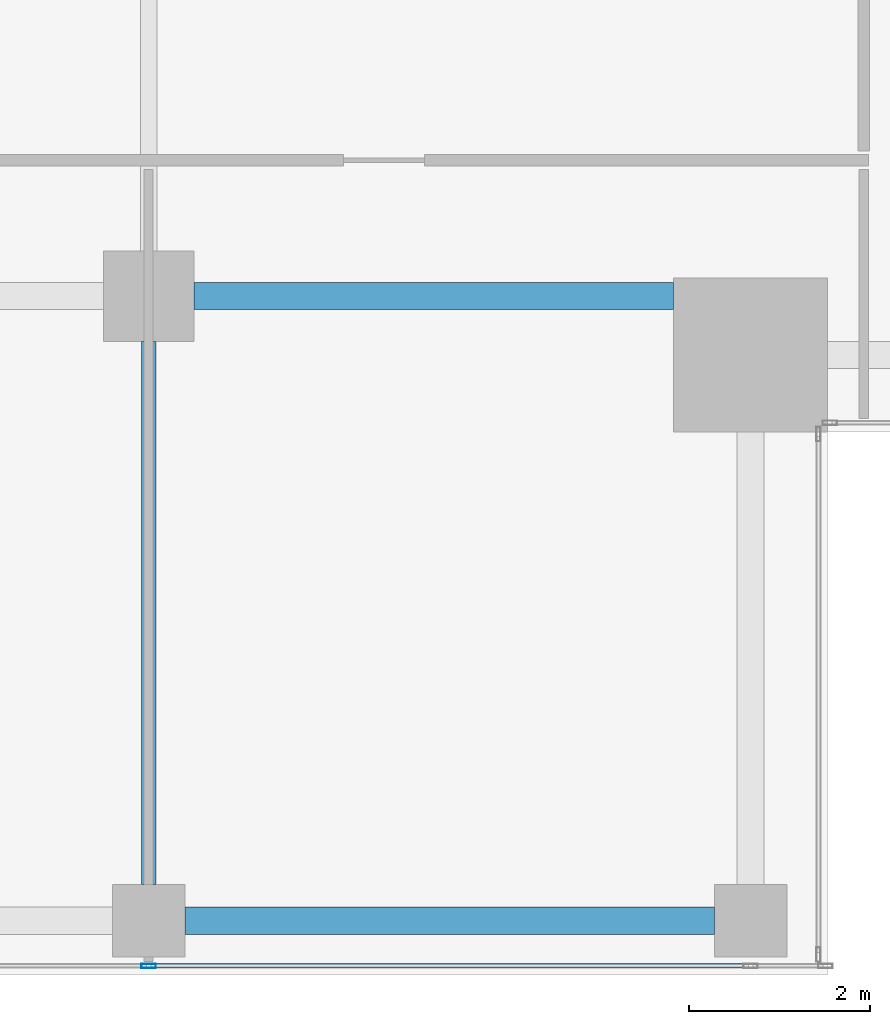
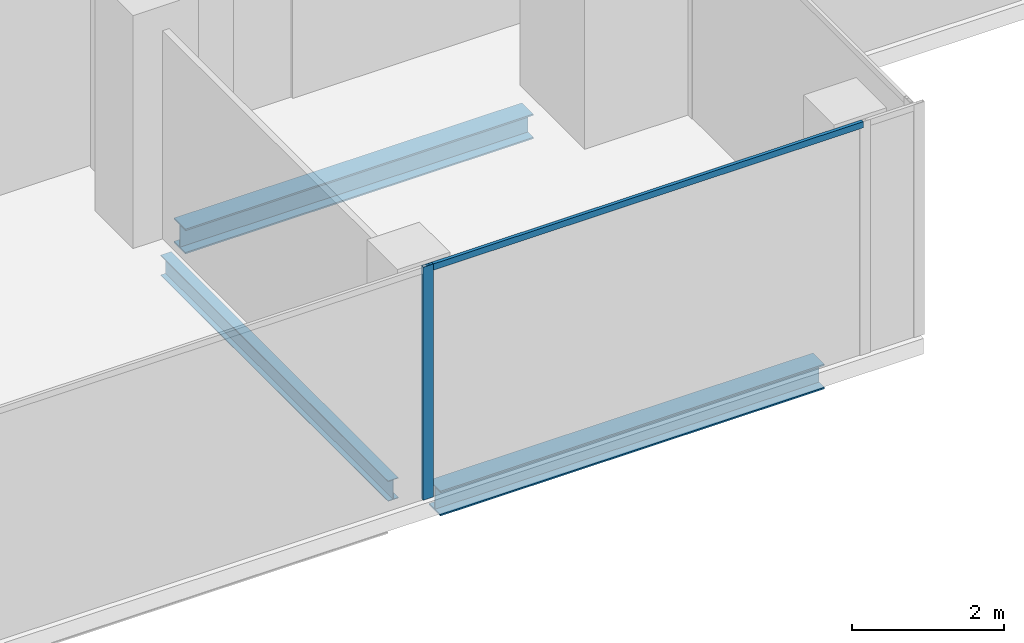
# One storey, part 7 of 29: 3 beams, 2 members, 1 element without a shape of its own.
"""IFC4 building model written with IfcOpenShell, lengths in metres."""

from ifc_helpers import new_model, si_unit, direction, frame, origin, origin_2d, place, context, subcontext, project, spatial, hollow_rectangle, i_section, extrude, source, transform, mapped, material, material_profile, profile_set, type_object, element, aggregate, save


model = new_model("IFC4")

# Units and contexts
model_context = context("Model", 3, precision=1e-05, world=origin(), true_north=direction((0.0, 1.0)))
body_context = subcontext(model_context, "Body", "Model", "MODEL_VIEW")
ifc_project = project(units=[si_unit("LENGTHUNIT", "METRE"), si_unit("AREAUNIT", "SQUARE_METRE"), si_unit("VOLUMEUNIT", "CUBIC_METRE"), si_unit("PLANEANGLEUNIT", "RADIAN"), si_unit("MASSUNIT", "GRAM", prefix="KILO")], contexts=[model_context])

# Site, building, storey
site_placement = place(None, origin())
site = spatial("IfcSite", under=ifc_project, at=site_placement, CompositionType="ELEMENT")
building_placement = place(site_placement, origin())
building = spatial("IfcBuilding", under=site, at=building_placement, Name="Khomas Fold Tower", CompositionType="ELEMENT")
storey_placement = place(building_placement, frame((0.0, 0.0, 322.199951171875)))
storey = spatial("IfcBuildingStorey", under=building, at=storey_placement, Name="L73", CompositionType="ELEMENT", Elevation=322.199951171875)

# Beams
ifc_material_1 = material(Name="Steel S355", Category="steel")
ifc_material_profile_1 = material_profile(ifc_material_1, i_section(OverallWidth=0.300048828125, OverallDepth=0.39990234375, WebThickness=0.013427734375, FlangeThickness=0.02392578125, at=origin_2d()), Name="HE 400 B")
ifc_profile_set_1 = profile_set([ifc_material_profile_1], Name="Steel S355")
beam_type_1 = type_object("IfcBeamType", Name="HE 400 B spandrel SB5", PredefinedType="SPANDREL", material=ifc_profile_set_1)
shared_shape_1 = source(origin(), body_context, "Body", "SweptSolid", [
    extrude(i_section(OverallWidth=0.300048828125, OverallDepth=0.39990234375, WebThickness=0.013427734375, FlangeThickness=0.02392578125, at=origin_2d()), origin(), (0.0, 0.0, 1.0), 5.85009765625),
])
beam_1_placement = place(storey_placement, frame((34.89990234375, 6.60009765625, -0.449951171875), z_axis=(1.0, 0.0, 0.0), x_axis=(0.0, 1.0, 0.0)))
element("IfcBeam", 1, at=beam_1_placement, inside=storey, type_object=beam_type_1, Name="SB5", PredefinedType="SPANDREL", context=body_context, shape_type="MappedRepresentation", body=[
    mapped(shared_shape_1, transform((0.0, 0.0, 0.0))),
])
ifc_material_2 = material(Name="Steel S355", Category="steel")
ifc_material_profile_2 = material_profile(ifc_material_2, i_section(OverallWidth=0.300048828125, OverallDepth=0.39990234375, WebThickness=0.013427734375, FlangeThickness=0.02392578125, at=origin_2d()), Name="HE 400 B")
ifc_profile_set_2 = profile_set([ifc_material_profile_2], Name="Steel S355")
beam_type_2 = type_object("IfcBeamType", Name="HE 400 B beam GB1", PredefinedType="BEAM", material=ifc_profile_set_2)
shared_shape_2 = source(origin(), body_context, "Body", "SweptSolid", [
    extrude(i_section(OverallWidth=0.300048828125, OverallDepth=0.39990234375, WebThickness=0.013427734375, FlangeThickness=0.02392578125, at=origin_2d()), origin(), (0.0, 0.0, 1.0), 5.300048828125),
])
beam_2_placement = place(storey_placement, frame((35.0, 13.5, -0.449951171875), z_axis=(1.0, 0.0, 0.0), x_axis=(0.0, 1.0, 0.0)))
element("IfcBeam", 2, at=beam_2_placement, inside=storey, type_object=beam_type_2, Name="GB1", PredefinedType="BEAM", context=body_context, shape_type="MappedRepresentation", body=[
    mapped(shared_shape_2, transform((0.0, 0.0, 0.0))),
])
ifc_material_3 = material(Name="Steel S355", Category="steel")
ifc_material_profile_3 = material_profile(ifc_material_3, i_section(OverallWidth=0.159912109375, OverallDepth=0.330078125, WebThickness=0.007568359375, FlangeThickness=0.011474609375, at=origin_2d()), Name="IPE 330")
ifc_profile_set_3 = profile_set([ifc_material_profile_3], Name="Steel S355")
beam_type_3 = type_object("IfcBeamType", Name="IPE 330 beam JB1", PredefinedType="BEAM", material=ifc_profile_set_3)
shared_shape_3 = source(origin(), body_context, "Body", "SweptSolid", [
    extrude(i_section(OverallWidth=0.159912109375, OverallDepth=0.330078125, WebThickness=0.007568359375, FlangeThickness=0.011474609375, at=origin_2d()), origin(), (0.0, 0.0, 1.0), 6.0),
])
beam_3_placement = place(storey_placement, frame((34.5, 7.0, -0.4150390625), z_axis=(0.0, 1.0, 0.0), x_axis=(-1.0, 0.0, 0.0)))
element("IfcBeam", 3, at=beam_3_placement, inside=storey, type_object=beam_type_3, Name="JB1", PredefinedType="BEAM", context=body_context, shape_type="MappedRepresentation", body=[
    mapped(shared_shape_3, transform((0.0, 0.0, 0.0))),
])

# Curtain wall, members
ifc_material_4 = material(Name="Aluminium framed double glazing", Category="aluminium")
curtain_wall_type = type_object("IfcCurtainWallType", Name="SK-Unitised clear-glass wall, upper floors CW3", PredefinedType="NOTDEFINED", material=ifc_material_4)
curtain_wall_placement = place(storey_placement, origin())
curtain_wall = element("IfcCurtainWall", 4, at=curtain_wall_placement, inside=storey, type_object=curtain_wall_type, Name="CW3 run L73 00-0", PredefinedType="NOTDEFINED")
ifc_material_5 = material(Name="Aluminium", Category="aluminium")
ifc_material_profile_4 = material_profile(ifc_material_5, hollow_rectangle(XDim=0.050048828125, YDim=0.159912109375, WallThickness=0.00390625, at=origin_2d()), Name="SK-Unitised clear-glass wall, upper floors mullion CW3-M")
ifc_profile_set_4 = profile_set([ifc_material_profile_4], Name="Aluminium")
member_type_1 = type_object("IfcMemberType", Name="SK-Unitised clear-glass wall, upper floors mullion CW3-M", PredefinedType="MULLION", material=ifc_profile_set_4)
shared_shape_4 = source(origin(), body_context, "Body", "SweptSolid", [
    extrude(hollow_rectangle(XDim=0.050048828125, YDim=0.159912109375, WallThickness=0.00390625, at=origin_2d()), origin(), (0.0, 0.0, 1.0), 3.75),
])
member_1_placement = place(storey_placement, frame((34.5, 6.10009765625, 0.0), z_axis=(0.0, 0.0, 1.0), x_axis=(0.0, 1.0, 0.0)))
member_1 = element("IfcMember", 5, at=member_1_placement, type_object=member_type_1, Name="CW3 mullion 5", PredefinedType="MULLION", context=body_context, shape_type="MappedRepresentation", body=[
    mapped(shared_shape_4, transform((0.0, 0.0, 0.0))),
])
ifc_material_6 = material(Name="Aluminium", Category="aluminium")
ifc_material_profile_5 = material_profile(ifc_material_6, hollow_rectangle(XDim=0.050048828125, YDim=0.10009765625, WallThickness=0.00390625, at=origin_2d()), Name="SK-Unitised clear-glass wall, upper floors transom CW3-T")
ifc_profile_set_5 = profile_set([ifc_material_profile_5], Name="Aluminium")
member_type_2 = type_object("IfcMemberType", Name="SK-Unitised clear-glass wall, upper floors transom CW3-T", PredefinedType="USERDEFINED", material=ifc_profile_set_5)
shared_shape_5 = source(origin(), body_context, "Body", "SweptSolid", [
    extrude(hollow_rectangle(XDim=0.050048828125, YDim=0.10009765625, WallThickness=0.00390625, at=origin_2d()), origin(), (0.0, 0.0, 1.0), 6.60009765625),
])
member_2_placement = place(storey_placement, frame((34.52490234375, 6.10009765625, 3.699951171875), z_axis=(1.0, 0.0, 0.0), x_axis=(0.0, 1.0, 0.0)))
member_2 = element("IfcMember", 6, at=member_2_placement, type_object=member_type_2, Name="CW3 transom 5", ObjectType="TRANSOM", PredefinedType="USERDEFINED", context=body_context, shape_type="MappedRepresentation", body=[
    mapped(shared_shape_5, transform((0.0, 0.0, 0.0))),
])
aggregate(curtain_wall, [member_1, member_2])

save(model, "model.ifc")
